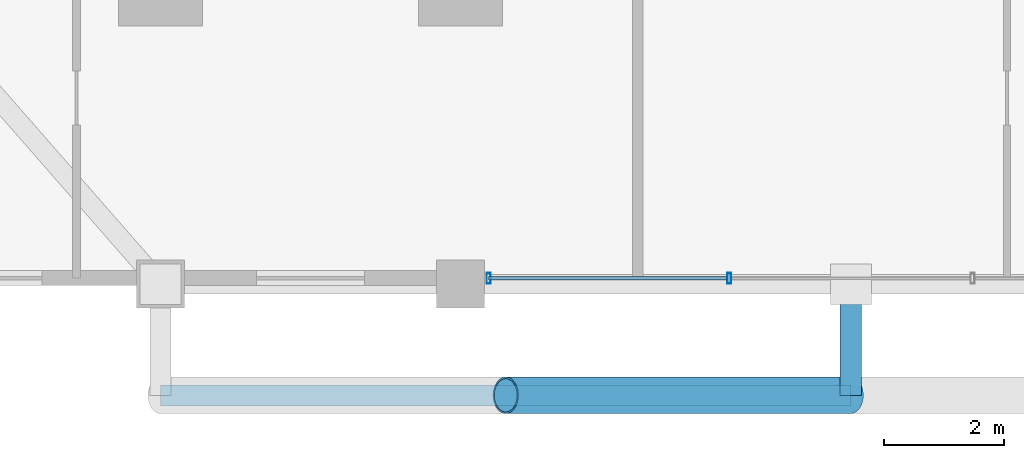
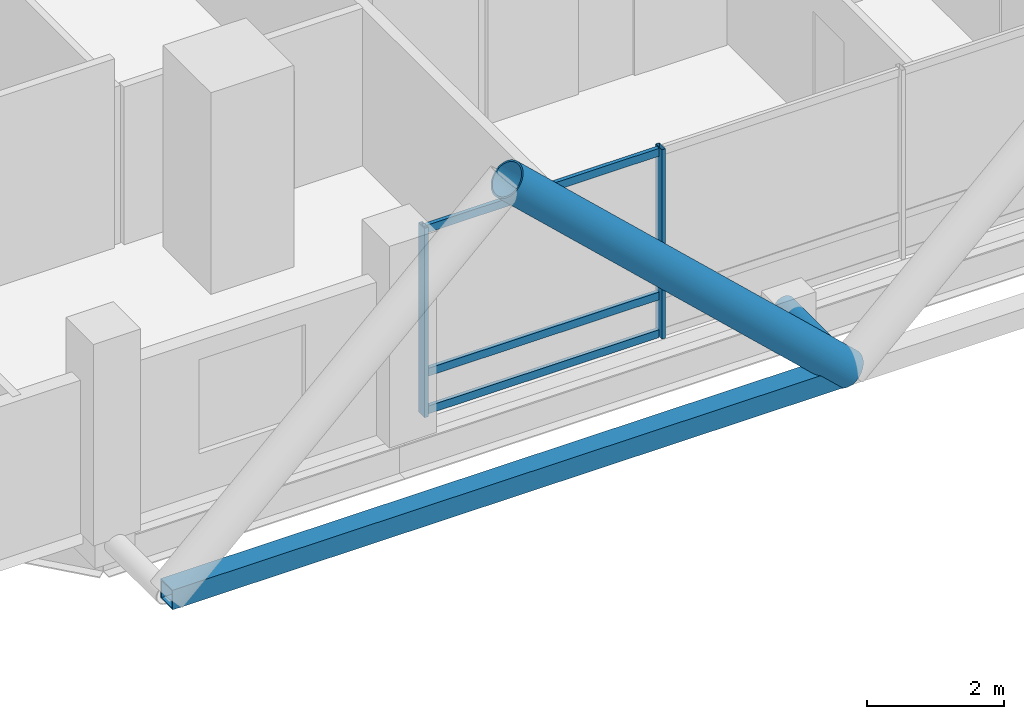
# One storey, part 2 of 28: 8 members, 1 element without a shape of its own.
"""IFC4 building model written with IfcOpenShell, lengths in metres."""

from ifc_helpers import new_model, si_unit, direction, frame, origin, origin_2d, place, context, subcontext, project, spatial, hollow_rectangle, hollow_circle, extrude, material, layer, layer_set, material_profile, profile_set, type_object, element, aggregate, save


model = new_model("IFC4")

# Units and contexts
model_context = context("Model", 3, precision=1e-05, world=origin(), true_north=direction((0.0, 1.0)))
body_context = subcontext(model_context, "Body", "Model", "MODEL_VIEW")
ifc_project = project(units=[si_unit("LENGTHUNIT", "METRE"), si_unit("AREAUNIT", "SQUARE_METRE"), si_unit("VOLUMEUNIT", "CUBIC_METRE"), si_unit("PLANEANGLEUNIT", "RADIAN"), si_unit("MASSUNIT", "GRAM", prefix="KILO")], contexts=[model_context])

# Site, building, storey
site_placement = place(None, origin())
site = spatial("IfcSite", under=ifc_project, at=site_placement, CompositionType="ELEMENT")
building_placement = place(site_placement, origin())
building = spatial("IfcBuilding", under=site, at=building_placement, Name="Barlavira Tower and Art Museum", CompositionType="ELEMENT")
storey_placement = place(building_placement, frame((0.0, 0.0, 39.60009765625)))
storey = spatial("IfcBuildingStorey", under=building, at=storey_placement, Name="L08", CompositionType="ELEMENT", Elevation=39.60009765625)

# Curtain wall, members
ifc_material_1 = material(Name="Low-iron coastal laminated glass", Category="glass")
ifc_layer = layer(ifc_material_1, 0.179931640625, Name="Low-iron coastal laminated glass")
ifc_layer_set = layer_set([ifc_layer], Name="Low-iron coastal laminated glass")
curtain_wall_type = type_object("IfcCurtainWallType", Name="Pale-Metal Unitised Curtain Wall Zone 1", PredefinedType="NOTDEFINED", material=ifc_layer_set)
curtain_wall_placement = place(storey_placement, origin())
curtain_wall = element("IfcCurtainWall", 1, at=curtain_wall_placement, inside=storey, type_object=curtain_wall_type, Name="L08 Curtain Wall CW1-L08-S-B3", PredefinedType="NOTDEFINED")
ifc_material_2 = material(Name="Pale anodised aluminium", Category="aluminium")
ifc_material_profile_1 = material_profile(ifc_material_2, hollow_rectangle(XDim=0.06494140625, YDim=0.179931640625, WallThickness=0.00390625, at=origin_2d()), Name="ALU-MULL 65x180x4")
ifc_profile_set_1 = profile_set([ifc_material_profile_1], Name="Pale anodised aluminium")
member_type_1 = type_object("IfcMemberType", Name="Curtain Wall Pale-Metal Mullion 65x180", PredefinedType="MULLION", material=ifc_profile_set_1)
member_1_placement = place(storey_placement, frame((-6.034912109375, -24.89990234375, 0.0), z_axis=(0.0, 0.0, 1.0), x_axis=(1.0, 0.0, 0.0)))
member_1 = element("IfcMember", 2, at=member_1_placement, type_object=member_type_1, Name="CW1-L08-S-B3 Mullion 0", PredefinedType="MULLION", context=body_context, shape_type="SweptSolid", body=[
    extrude(hollow_rectangle(XDim=0.06494140625, YDim=0.179931640625, WallThickness=0.00390625, at=origin_2d()), origin(), (0.0, 0.0, 1.0), 3.3798828125),
])
member_2_placement = place(storey_placement, frame((-2.026611328125, -24.89990234375, 0.0), z_axis=(0.0, 0.0, 1.0), x_axis=(1.0, 0.0, 0.0)))
member_2 = element("IfcMember", 3, at=member_2_placement, type_object=member_type_1, Name="CW1-L08-S-B3 Mullion 1", PredefinedType="MULLION", context=body_context, shape_type="SweptSolid", body=[
    extrude(hollow_rectangle(XDim=0.06494140625, YDim=0.179931640625, WallThickness=0.00390625, at=origin_2d()), origin(), (0.0, 0.0, 1.0), 3.3798828125),
])
ifc_material_profile_2 = material_profile(ifc_material_2, hollow_rectangle(XDim=0.06494140625, YDim=0.139892578125, WallThickness=0.00390625, at=origin_2d()), Name="ALU-TRAN 65x140x4")
ifc_profile_set_2 = profile_set([ifc_material_profile_2], Name="Pale anodised aluminium")
member_type_2 = type_object("IfcMemberType", Name="Curtain Wall Pale-Metal Transom 65x140", PredefinedType="USERDEFINED", material=ifc_profile_set_2)
member_3_placement = place(storey_placement, frame((-6.034912109375, -24.89990234375, 0.06982421875), z_axis=(1.0, 0.0, 0.0), x_axis=(0.0, 1.0, 0.0)))
member_3 = element("IfcMember", 4, at=member_3_placement, type_object=member_type_2, Name="CW1-L08-S-B3 Transom 0.1", ObjectType="TRANSOM", PredefinedType="USERDEFINED", context=body_context, shape_type="SweptSolid", body=[
    extrude(hollow_rectangle(XDim=0.06494140625, YDim=0.139892578125, WallThickness=0.00390625, at=origin_2d()), origin(), (0.0, 0.0, 1.0), 3.963134765625),
])
member_4_placement = place(storey_placement, frame((-6.034912109375, -24.89990234375, 0.743896484375), z_axis=(1.0, 0.0, 0.0), x_axis=(0.0, 1.0, 0.0)))
member_4 = element("IfcMember", 5, at=member_4_placement, type_object=member_type_2, Name="CW1-L08-S-B3 Transom 0.2", ObjectType="TRANSOM", PredefinedType="USERDEFINED", context=body_context, shape_type="SweptSolid", body=[
    extrude(hollow_rectangle(XDim=0.06494140625, YDim=0.139892578125, WallThickness=0.00390625, at=origin_2d()), origin(), (0.0, 0.0, 1.0), 3.963134765625),
])
member_5_placement = place(storey_placement, frame((-6.034912109375, -24.89990234375, 3.309814453125), z_axis=(1.0, 0.0, 0.0), x_axis=(0.0, 1.0, 0.0)))
member_5 = element("IfcMember", 6, at=member_5_placement, type_object=member_type_2, Name="CW1-L08-S-B3 Transom 0.3", ObjectType="TRANSOM", PredefinedType="USERDEFINED", context=body_context, shape_type="SweptSolid", body=[
    extrude(hollow_rectangle(XDim=0.06494140625, YDim=0.139892578125, WallThickness=0.00390625, at=origin_2d()), origin(), (0.0, 0.0, 1.0), 3.963134765625),
])
aggregate(curtain_wall, [member_1, member_2, member_3, member_4, member_5])

# Members
ifc_material_3 = material(Name="Steel S355", Category="steel")
ifc_material_profile_3 = material_profile(ifc_material_3, hollow_circle(Radius=0.304931640625, WallThickness=0.028076171875, at=origin_2d()), Name="CHS 610.0x28.0")
ifc_profile_set_3 = profile_set([ifc_material_profile_3], Name="Steel S355")
member_type_3 = type_object("IfcMemberType", Name="Pale-Metal Exoskeleton Diagrid Tube CHS 610x28 Steel S355", PredefinedType="BRACE", material=ifc_profile_set_3)
member_6_placement = place(storey_placement, frame((0.0, -26.85009765625, -0.1201171875), z_axis=(-0.728950095515, 0.0, 0.684566839869), x_axis=(0.0, -1.0, 0.0)))
element("IfcMember", 7, at=member_6_placement, inside=storey, type_object=member_type_3, Name="L08 Exoskeleton Diagrid Tube S", PredefinedType="BRACE", context=body_context, shape_type="SweptSolid", body=[
    extrude(hollow_circle(Radius=0.304931640625, WallThickness=0.028076171875, at=origin_2d()), origin(), (0.0, 0.0, 1.0), 7.887939453125),
])
ifc_material_profile_4 = material_profile(ifc_material_3, hollow_rectangle(XDim=0.35009765625, YDim=0.35009765625, WallThickness=0.02001953125, at=origin_2d()), Name="SHS 350x350x20.0")
ifc_profile_set_4 = profile_set([ifc_material_profile_4], Name="Steel S355")
member_type_4 = type_object("IfcMemberType", Name="Pale-Metal Exoskeleton Ring Strut SHS 350x350x20 Steel S355", PredefinedType="STRUT", material=ifc_profile_set_4)
member_7_placement = place(storey_placement, frame((-11.5, -26.85009765625, -0.1201171875), z_axis=(1.0, 0.0, 0.0), x_axis=(0.0, 1.0, 0.0)))
element("IfcMember", 8, at=member_7_placement, inside=storey, type_object=member_type_4, Name="L08 Exoskeleton Ring Strut S", PredefinedType="STRUT", context=body_context, shape_type="SweptSolid", body=[
    extrude(hollow_rectangle(XDim=0.35009765625, YDim=0.35009765625, WallThickness=0.02001953125, at=origin_2d()), origin(), (0.0, 0.0, 1.0), 11.5),
])
ifc_material_profile_5 = material_profile(ifc_material_3, hollow_circle(Radius=0.177734375, WallThickness=0.01611328125, at=origin_2d()), Name="CHS 355.6x16.0")
ifc_profile_set_5 = profile_set([ifc_material_profile_5], Name="Steel S355")
member_type_5 = type_object("IfcMemberType", Name="Pale-Metal Exoskeleton Tie Strut CHS 356x16 Steel S355", PredefinedType="STRUT", material=ifc_profile_set_5)
member_8_placement = place(storey_placement, frame((0.0, -26.85009765625, -0.1201171875), z_axis=(0.0, 1.0, 0.0), x_axis=(-1.0, 0.0, 0.0)))
element("IfcMember", 9, at=member_8_placement, inside=storey, type_object=member_type_5, Name="L08 Exoskeleton Tie Strut S2", PredefinedType="STRUT", context=body_context, shape_type="SweptSolid", body=[
    extrude(hollow_circle(Radius=0.177734375, WallThickness=0.01611328125, at=origin_2d()), origin(), (0.0, 0.0, 1.0), 1.85009765625),
])

save(model, "model.ifc")
